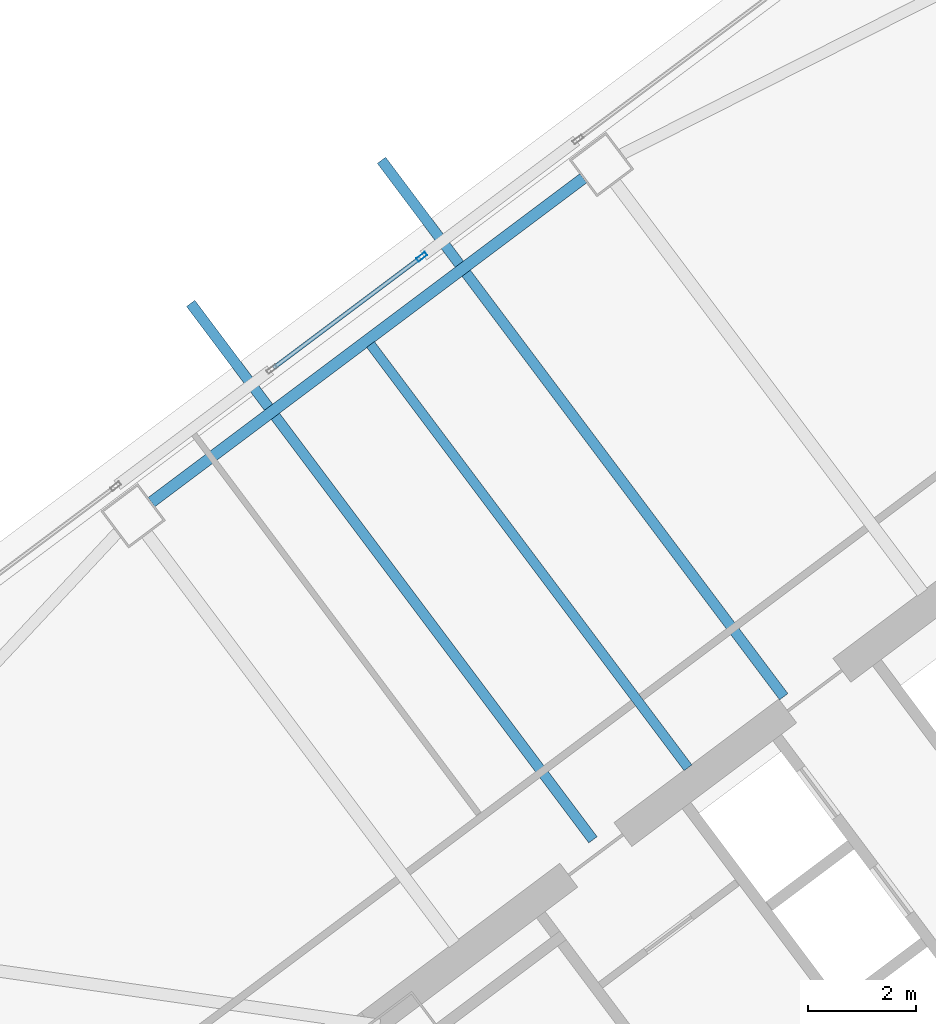
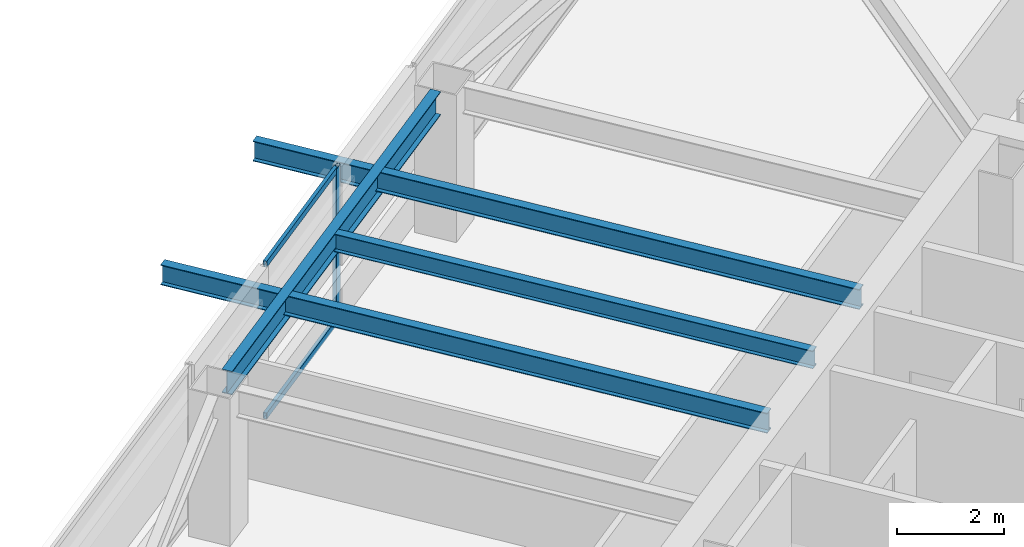
# One storey, part 27 of 42: 4 beams, 3 members, 1 element without a shape of its own.
"""IFC4 building model written with IfcOpenShell, lengths in metres."""

import ifcopenshell
import ifcopenshell.guid

model = None  # the IFC model being written
_history = None  # IfcOwnerHistory: only IFC2X3 demands one
_inside = {}  # id of a spatial element -> (the spatial element, [elements in it])
_under = {}  # id of a project, library or spatial element -> (it, [spatial elements below it])
_declared = {}  # id of a project -> (the project, [libraries it declares])
_typed = {}  # id of a type object -> (the type object, [elements of that type])
_made_of = {}  # id of a material, layer set ... -> (it, [elements and type objects made of it])


def new_model(schema):
    """Start an empty IFC model of exactly this schema.

    Asked for "IFC4X3", IfcOpenShell would pick the latest addendum, in which some entities
    have other attributes; the version numbers below select the first issue.
    IFC2X3 requires an IfcOwnerHistory on every rooted entity: one is made here for all.
    """
    global model, _history
    if schema == "IFC4X3":
        model = ifcopenshell.file(schema_version=(4, 3, 0, 0))
    else:
        model = ifcopenshell.file(schema=schema)
    _inside.clear()
    _under.clear()
    _declared.clear()
    _typed.clear()
    _made_of.clear()
    _history = None
    if model.schema == "IFC2X3":
        org = make("IfcOrganization", Name="unknown")
        user = make(
            "IfcPersonAndOrganization",
            ThePerson=make("IfcPerson", FamilyName="unknown"),
            TheOrganization=org,
        )
        app = make(
            "IfcApplication",
            ApplicationDeveloper=org,
            Version="unknown",
            ApplicationFullName="unknown",
            ApplicationIdentifier="unknown",
        )
        _history = make(
            "IfcOwnerHistory",
            OwningUser=user,
            OwningApplication=app,
            ChangeAction="ADDED",
            CreationDate=0,
        )
    return model


def make(cls, **values):
    """One entity of the class cls with the attributes given. An attribute that is None is left unset."""
    return model.create_entity(
        cls, **{name: value for name, value in values.items() if value is not None}
    )


def rooted(cls, **values):
    """An entity with a GlobalId (a new one), such as an element, a storey or a relation."""
    return make(cls, GlobalId=ifcopenshell.guid.new(), OwnerHistory=_history, **values)


def si_unit(unit_type, name, prefix=None):
    """IfcSIUnit, for example si_unit("LENGTHUNIT", "METRE", prefix="MILLI")."""
    return make("IfcSIUnit", UnitType=unit_type, Prefix=prefix, Name=name)


def assignment(units):
    """IfcUnitAssignment: the units of a project."""
    return None if units is None else make("IfcUnitAssignment", Units=units)


def point(xyz):
    """IfcCartesianPoint."""
    return None if xyz is None else make("IfcCartesianPoint", Coordinates=xyz)


def direction(xyz):
    """IfcDirection."""
    return None if xyz is None else make("IfcDirection", DirectionRatios=xyz)


def frame(location, z_axis=None, x_axis=None):
    """IfcAxis2Placement3D, a coordinate frame: its origin and axes. An axis left out is left unset."""
    return make(
        "IfcAxis2Placement3D",
        Location=point(location),
        Axis=direction(z_axis),
        RefDirection=direction(x_axis),
    )


def frame_2d(location, x_axis=None):
    """IfcAxis2Placement2D, a coordinate frame in the plane: its origin and x axis."""
    return make(
        "IfcAxis2Placement2D", Location=point(location), RefDirection=direction(x_axis)
    )


def origin():
    """The frame at (0, 0, 0) with its axes left unset."""
    return frame((0.0, 0.0, 0.0))


def origin_2d():
    """The frame at (0, 0) in the plane with its x axis left unset."""
    return frame_2d((0.0, 0.0))


def place(relative_to, where):
    """IfcLocalPlacement: puts the frame where relative to a parent placement (None: the world)."""
    return make(
        "IfcLocalPlacement", PlacementRelTo=relative_to, RelativePlacement=where
    )


def context(
    kind, dimensions, precision=None, world=None, true_north=None, identifier=None
):
    """IfcGeometricRepresentationContext, for example the 3D "Model" context."""
    return make(
        "IfcGeometricRepresentationContext",
        ContextIdentifier=identifier,
        ContextType=kind,
        CoordinateSpaceDimension=dimensions,
        Precision=precision,
        WorldCoordinateSystem=world,
        TrueNorth=true_north,
    )


def subcontext(parent, identifier, kind, view, scale=None):
    """IfcGeometricRepresentationSubContext, for example "Body" below "Model"."""
    return make(
        "IfcGeometricRepresentationSubContext",
        ContextIdentifier=identifier,
        ContextType=kind,
        ParentContext=parent,
        TargetScale=scale,
        TargetView=view,
    )


def project(units=None, contexts=None):
    """IfcProject with its units and contexts."""
    return rooted(
        "IfcProject",
        Name="project",
        RepresentationContexts=contexts,
        UnitsInContext=assignment(units),
    )


def spatial(cls, under=None, at=None, **own):
    """A site, building, storey or space (cls), placed at a placement, below another one or the project."""
    s = rooted(cls, ObjectPlacement=at, **own)
    if under is not None:
        _under.setdefault(under.id(), (under, []))[1].append(s)
    return s


def profile(cls, at=None, kind="AREA", **sizes):
    """A parametric profile (cls). Its sizes go by their IFC names, for example OverallWidth=200.0."""
    return make(cls, ProfileType=kind, Position=at, **sizes)


def hollow_rectangle(**sizes):
    """IfcRectangleHollowProfileDef."""
    return profile("IfcRectangleHollowProfileDef", **sizes)


def i_section(**sizes):
    """IfcIShapeProfileDef."""
    return profile("IfcIShapeProfileDef", **sizes)


def extrude(swept, where, along, depth):
    """IfcExtrudedAreaSolid: the profile swept, set in the frame where, extruded along a direction by depth."""
    return make(
        "IfcExtrudedAreaSolid",
        SweptArea=swept,
        Position=where,
        ExtrudedDirection=direction(along),
        Depth=depth,
    )


def shape(context_of_items, identifier, shape_type, items):
    """IfcShapeRepresentation: the items that make up one representation, for example the "Body"."""
    return make(
        "IfcShapeRepresentation",
        ContextOfItems=context_of_items,
        RepresentationIdentifier=identifier,
        RepresentationType=shape_type,
        Items=items,
    )


def material(Name=None, Category=None):
    """IfcMaterial."""
    return make("IfcMaterial", Name=Name, Category=Category)


def material_profile(
    of_material, cross_section, Name=None, Category=None, Priority=None
):
    """IfcMaterialProfile: a cross section and its material."""
    return make(
        "IfcMaterialProfile",
        Name=Name,
        Material=of_material,
        Profile=cross_section,
        Priority=Priority,
        Category=Category,
    )


def profile_set(profiles, Name=None, composite=None):
    """IfcMaterialProfileSet."""
    return make(
        "IfcMaterialProfileSet",
        Name=Name,
        MaterialProfiles=profiles,
        CompositeProfile=composite,
    )


def made_of(thing, what):
    """Note that an element or type object is made of a material, layer set ...; save() writes the relation."""
    if what is not None:
        _made_of.setdefault(what.id(), (what, []))[1].append(thing)
    return thing


def type_object(cls, material=None, **own):
    """A type object (cls), such as IfcWallType, which elements share."""
    return made_of(rooted(cls, **own), material)


def element(
    cls,
    number,
    at=None,
    inside=None,
    cuts=None,
    type_object=None,
    material=None,
    context=None,
    identifier="Body",
    shape_type=None,
    held_by="IfcProductDefinitionShape",
    body=None,
    shapes=None,
    **own,
):
    """One element of the class cls, such as IfcWall. Its Tag is "e" and its number.

    at: its placement. inside: the storey or other place that contains it. cuts: it is an
    opening in that element (IfcRelVoidsElement). A single representation is given by context,
    identifier, shape_type and body (its items); several are given by shapes. held_by: the class
    of the entity that holds the representations. save() writes the other relations.
    """
    e = rooted(cls, Tag="e%d" % number, ObjectPlacement=at, **own)
    if body is not None:
        shapes = [shape(context, identifier, shape_type, body)]
    if shapes is not None:
        e.Representation = make(held_by, Representations=shapes)
    if inside is not None:
        _inside.setdefault(inside.id(), (inside, []))[1].append(e)
    if cuts is not None:
        rooted(
            "IfcRelVoidsElement", RelatingBuildingElement=cuts, RelatedOpeningElement=e
        )
    if type_object is not None:
        _typed.setdefault(type_object.id(), (type_object, []))[1].append(e)
    return made_of(e, material)


def aggregate(whole, parts):
    """IfcRelAggregates: a whole, such as a stair, and the parts it consists of."""
    return rooted("IfcRelAggregates", RelatingObject=whole, RelatedObjects=parts)


def save(model, path):
    """Write the relations noted so far, then the file.

    IfcRelAggregates (storeys below a building ...), IfcRelContainedInSpatialStructure (elements
    in a storey), IfcRelDefinesByType, IfcRelAssociatesMaterial and IfcRelDeclares: one each for
    every whole, place, type object, material and project.
    """
    for whole, parts in _under.values():
        aggregate(whole, parts)
    for where, things in _inside.values():
        rooted(
            "IfcRelContainedInSpatialStructure",
            RelatedElements=things,
            RelatingStructure=where,
        )
    for kind, things in _typed.values():
        rooted("IfcRelDefinesByType", RelatedObjects=things, RelatingType=kind)
    for what, things in _made_of.values():
        rooted("IfcRelAssociatesMaterial", RelatedObjects=things, RelatingMaterial=what)
    for by, libraries in _declared.values():
        rooted("IfcRelDeclares", RelatingContext=by, RelatedDefinitions=libraries)
    model.write(path)


model = new_model("IFC4")

# Units and contexts
model_context = context("Model", 3, precision=1e-05, world=origin(), true_north=direction((0.0, 1.0)))
body_context = subcontext(model_context, "Body", "Model", "MODEL_VIEW")
ifc_project = project(units=[si_unit("LENGTHUNIT", "METRE"), si_unit("AREAUNIT", "SQUARE_METRE"), si_unit("VOLUMEUNIT", "CUBIC_METRE"), si_unit("PLANEANGLEUNIT", "RADIAN"), si_unit("MASSUNIT", "GRAM", prefix="KILO")], contexts=[model_context])

# Site, building, storey
site_placement = place(None, origin())
site = spatial("IfcSite", under=ifc_project, at=site_placement, CompositionType="ELEMENT")
building_placement = place(site_placement, origin())
building = spatial("IfcBuilding", under=site, at=building_placement, Name="Tashvorn Skyway Center", CompositionType="ELEMENT")
storey_placement = place(building_placement, frame((0.0, 0.0, 121.5)))
storey = spatial("IfcBuildingStorey", under=building, at=storey_placement, Name="L32", CompositionType="ELEMENT", Elevation=121.5)

# Beams
ifc_material_1 = material(Name="Steel ASTM A992 Grade 50", Category="steel")
ifc_material_profile_1 = material_profile(ifc_material_1, i_section(OverallWidth=0.177978515625, OverallDepth=0.406005859375, WebThickness=0.0078125, FlangeThickness=0.0126953125, at=origin_2d()), Name="W16X40")
ifc_profile_set_1 = profile_set([ifc_material_profile_1], Name="Steel ASTM A992 Grade 50")
beam_type_1 = type_object("IfcBeamType", Name="BM-JOIST-W16X40", PredefinedType="JOIST", material=ifc_profile_set_1)
beam_1_placement = place(storey_placement, frame((109.325927734375, 38.23193359375, 3.1669921875), z_axis=(-0.599991997409, 0.800006001881, 0.0), x_axis=(-0.800006001881, -0.599991997409, 0.0)))
element("IfcBeam", 1, at=beam_1_placement, inside=storey, type_object=beam_type_1, Name="Tower 2 L32 Secondary Composite Joist JN", PredefinedType="JOIST", context=body_context, shape_type="SweptSolid", body=[
    extrude(i_section(OverallWidth=0.177978515625, OverallDepth=0.406005859375, WebThickness=0.0078125, FlangeThickness=0.0126953125, at=origin_2d()), origin(), (0.0, 0.0, 1.0), 9.762451171875),
])
ifc_material_profile_2 = material_profile(ifc_material_1, i_section(OverallWidth=0.19091796875, OverallDepth=0.4599609375, WebThickness=0.010009765625, FlangeThickness=0.01611328125, at=origin_2d()), Name="W18X55")
ifc_profile_set_2 = profile_set([ifc_material_profile_2], Name="Steel ASTM A992 Grade 50")
beam_type_2 = type_object("IfcBeamType", Name="BM-JOIST-W18X55", PredefinedType="JOIST", material=ifc_profile_set_2)
for number, where, z_axis, x_axis, name in (
    (2, (107.572021484375, 36.904052734375, 3.139892578125), (-0.60000631563, 0.799995263239, 0.0), (-0.799995263239, -0.60000631563, 0.0), "Tower 2 L33 Terrace Cantilever Outlooker 1"),
    (3, (111.092041015625, 39.5439453125, 3.139892578125), (-0.60000631563, 0.799995263239, 0.0), (-0.799995263239, -0.60000631563, 0.0), "Tower 2 L33 Terrace Cantilever Outlooker 2"),
):
    element("IfcBeam", number, at=place(storey_placement, frame(where, z_axis=z_axis, x_axis=x_axis)), inside=storey, type_object=beam_type_2, Name=name, PredefinedType="JOIST", context=body_context, shape_type="SweptSolid", body=[
        extrude(i_section(OverallWidth=0.19091796875, OverallDepth=0.4599609375, WebThickness=0.010009765625, FlangeThickness=0.01611328125, at=origin_2d()), origin(), (0.0, 0.0, 1.0), 12.3701171875),
    ])
ifc_material_profile_3 = material_profile(ifc_material_1, i_section(OverallWidth=0.2109375, OverallDepth=0.5390625, WebThickness=0.01171875, FlangeThickness=0.018798828125, at=origin_2d()), Name="W21X73")
ifc_profile_set_3 = profile_set([ifc_material_profile_3], Name="Steel ASTM A992 Grade 50")
beam_type_3 = type_object("IfcBeamType", Name="BM-SPANDREL-W21X73", PredefinedType="SPANDREL", material=ifc_profile_set_3)
beam_2_placement = place(storey_placement, frame((107.39404296875, 49.10791015625, 3.1005859375), z_axis=(-0.800008824351, -0.599988234018, 0.0), x_axis=(0.599988234018, -0.800008824351, 0.0)))
element("IfcBeam", 4, at=beam_2_placement, inside=storey, type_object=beam_type_3, Name="Tower 2 L32 Spandrel Beam 08", PredefinedType="SPANDREL", context=body_context, shape_type="SweptSolid", body=[
    extrude(i_section(OverallWidth=0.2109375, OverallDepth=0.5390625, WebThickness=0.01171875, FlangeThickness=0.018798828125, at=origin_2d()), origin(), (0.0, 0.0, 1.0), 9.9599609375),
])

# Curtain wall, members
ifc_material_2 = material(Name="Thermally broken bronze-anodized aluminium 6063-T6", Category="aluminium")
curtain_wall_type = type_object("IfcCurtainWallType", Name="CW-CW-Z3", PredefinedType="NOTDEFINED", material=ifc_material_2)
curtain_wall_placement = place(storey_placement, origin())
curtain_wall = element("IfcCurtainWall", 5, at=curtain_wall_placement, inside=storey, type_object=curtain_wall_type, Name="Tower 2 L32 North Unitised Curtain Wall Glazing Group 2", PredefinedType="NOTDEFINED")
ifc_material_profile_4 = material_profile(ifc_material_2, hollow_rectangle(XDim=0.074951171875, YDim=0.199951171875, WallThickness=0.00439453125, at=origin_2d()), Name="ALU-MULL-75x200")
ifc_profile_set_4 = profile_set([ifc_material_profile_4], Name="Thermally broken bronze-anodized aluminium 6063-T6")
member_type_1 = type_object("IfcMemberType", Name="CWM-CW-Z3", PredefinedType="MULLION", material=ifc_profile_set_4)
member_1_placement = place(storey_placement, frame((104.41357421875, 47.66015625, 0.0), z_axis=(0.0, 0.0, 1.0), x_axis=(-0.600000000002, 0.799999999998, 0.0)))
member_1 = element("IfcMember", 6, at=member_1_placement, type_object=member_type_1, Name="CW-Z3 mullion 2", PredefinedType="MULLION", context=body_context, shape_type="SweptSolid", body=[
    extrude(hollow_rectangle(XDim=0.074951171875, YDim=0.199951171875, WallThickness=0.00439453125, at=origin_2d()), origin(), (0.0, 0.0, 1.0), 3.550048828125),
])
ifc_material_profile_5 = material_profile(ifc_material_2, hollow_rectangle(XDim=0.074951171875, YDim=0.139892578125, WallThickness=0.004150390625, at=origin_2d()), Name="ALU-TRAN-75x140")
ifc_profile_set_5 = profile_set([ifc_material_profile_5], Name="Thermally broken bronze-anodized aluminium 6063-T6")
member_type_2 = type_object("IfcMemberType", Name="CWT-CW-Z3", PredefinedType="USERDEFINED", material=ifc_profile_set_5)
member_2_placement = place(storey_placement, frame((101.680419921875, 45.6103515625, 0.03759765625), z_axis=(0.8, 0.6, 0.0), x_axis=(-0.6, 0.8, 0.0)))
member_2 = element("IfcMember", 7, at=member_2_placement, type_object=member_type_2, Name="CW-Z3 transom 1.1", ObjectType="TRANSOM", PredefinedType="USERDEFINED", context=body_context, shape_type="SweptSolid", body=[
    extrude(hollow_rectangle(XDim=0.074951171875, YDim=0.139892578125, WallThickness=0.004150390625, at=origin_2d()), origin(), (0.0, 0.0, 1.0), 3.37890625),
])
member_3_placement = place(storey_placement, frame((101.680419921875, 45.6103515625, 3.512451171875), z_axis=(0.8, 0.6, 0.0), x_axis=(-0.6, 0.8, 0.0)))
member_3 = element("IfcMember", 8, at=member_3_placement, type_object=member_type_2, Name="CW-Z3 transom 1.2", ObjectType="TRANSOM", PredefinedType="USERDEFINED", context=body_context, shape_type="SweptSolid", body=[
    extrude(hollow_rectangle(XDim=0.074951171875, YDim=0.139892578125, WallThickness=0.004150390625, at=origin_2d()), origin(), (0.0, 0.0, 1.0), 3.37890625),
])
aggregate(curtain_wall, [member_1, member_2, member_3])

save(model, "model.ifc")
